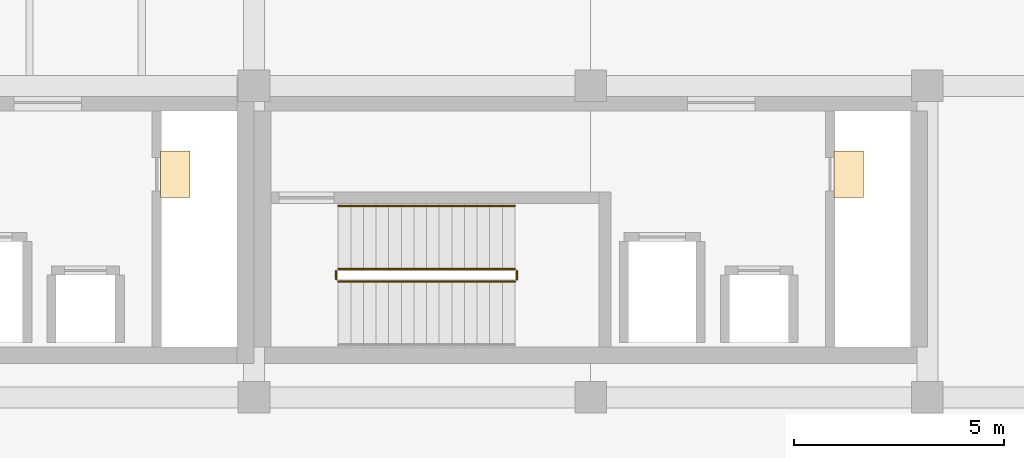
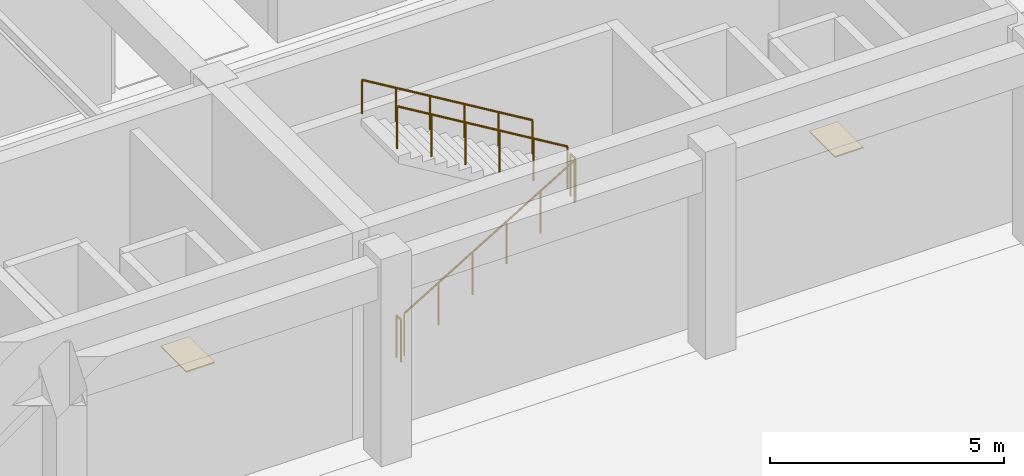
# One storey, part 37 of 56: 5 railings, 2 coverings.
"""IFC4 building model written with IfcOpenShell, lengths in metres."""

from ifc_helpers import new_model, si_unit, direction, frame, origin, origin_2d, place, context, subcontext, project, spatial, polyline, circle, outline, extrude, material, layer, layer_set, type_object, element, save


model = new_model("IFC4")

# Units and contexts
model_context = context("Model", 3, precision=1e-05, world=origin(), true_north=direction((0.0, 1.0)))
body_context = subcontext(model_context, "Body", "Model", "MODEL_VIEW")
ifc_project = project(units=[si_unit("LENGTHUNIT", "METRE"), si_unit("AREAUNIT", "SQUARE_METRE"), si_unit("VOLUMEUNIT", "CUBIC_METRE"), si_unit("PLANEANGLEUNIT", "RADIAN"), si_unit("MASSUNIT", "GRAM", prefix="KILO")], contexts=[model_context])

# Site, building, storey
site_placement = place(None, origin())
site = spatial("IfcSite", under=ifc_project, at=site_placement, CompositionType="ELEMENT")
building_placement = place(site_placement, origin())
building = spatial("IfcBuilding", under=site, at=building_placement, Name="Valkorina Park Police Headquarters", CompositionType="ELEMENT")
storey_placement = place(building_placement, origin())
storey = spatial("IfcBuildingStorey", under=building, at=storey_placement, Name="L01", CompositionType="ELEMENT", Elevation=0.0)

# Coverings
ifc_material_1 = material(Name="Resin terrazzo flooring")
ifc_layer = layer(ifc_material_1, 0.030029296875)
ifc_layer_set = layer_set([ifc_layer], Name="Resin terrazzo flooring")
covering_type = type_object("IfcCoveringType", Name="COV-FLOOR-TERRAZZO", PredefinedType="FLOORING", material=ifc_layer_set)
covering_1_placement = place(storey_placement, origin())
element("IfcCovering", 1, at=covering_1_placement, inside=storey, type_object=covering_type, Name="Core C1 L01 Riser Inspection Threshold Grate", PredefinedType="FLOORING", context=body_context, shape_type="SweptSolid", body=[
    extrude(outline(polyline([(31.280029296875, 41.75), (31.280029296875, 42.85009765625), (30.580078125, 42.85009765625), (30.580078125, 41.75), (31.280029296875, 41.75)])), origin(), (0.0, 0.0, 1.0), 0.030029296875),
])
covering_2_placement = place(storey_placement, origin())
element("IfcCovering", 2, at=covering_2_placement, inside=storey, type_object=covering_type, Name="Core C2 L01 Riser Inspection Threshold Grate", PredefinedType="FLOORING", context=body_context, shape_type="SweptSolid", body=[
    extrude(outline(polyline([(47.280029296875, 41.75), (47.280029296875, 42.85009765625), (46.580078125, 42.85009765625), (46.580078125, 41.75), (47.280029296875, 41.75)])), origin(), (0.0, 0.0, 1.0), 0.030029296875),
])

# Railings
ifc_material_2 = material(Name="Stainless steel EN 1.4404", Category="steel")
railing_type_1 = type_object("IfcRailingType", Name="RL-GUARD-INT-1100", PredefinedType="BALUSTRADE", material=ifc_material_2)
railing_1_placement = place(storey_placement, frame((34.800048828125, 39.75, 0.179931640625)))
element("IfcRailing", 3, at=railing_1_placement, inside=storey, type_object=railing_type_1, Name="L01 Core C2 Stair Guard 1", PredefinedType="BALUSTRADE", context=body_context, shape_type="SweptSolid", body=[
    extrude(circle(Radius=0.02392578125, at=origin_2d()), frame((0.0, 0.0, 1.09619140625), z_axis=(0.857488527567, 0.0, 0.514503085598), x_axis=(0.0, 1.0, 0.0)), (0.0, 0.0, 1.0), 4.89794921875),
    extrude(circle(Radius=0.02099609375, at=origin_2d()), origin(), (0.0, 0.0, 1.0), 1.072021484375),
    extrude(circle(Radius=0.02099609375, at=origin_2d()), frame((0.840087890625, 0.0, 0.50390625)), (0.0, 0.0, 1.0), 1.072021484375),
    extrude(circle(Radius=0.02099609375, at=origin_2d()), frame((1.679931640625, 0.0, 1.008056640625)), (0.0, 0.0, 1.0), 1.072021484375),
    extrude(circle(Radius=0.02099609375, at=origin_2d()), frame((2.52001953125, 0.0, 1.511962890625)), (0.0, 0.0, 1.0), 1.072021484375),
    extrude(circle(Radius=0.02099609375, at=origin_2d()), frame((3.35986328125, 0.0, 2.01611328125)), (0.0, 0.0, 1.0), 1.072021484375),
    extrude(circle(Radius=0.02099609375, at=origin_2d()), frame((4.199951171875, 0.0, 2.52001953125)), (0.0, 0.0, 1.0), 1.072021484375),
])
railing_2_placement = place(storey_placement, frame((39.050048828125, 39.800048828125, 2.699951171875)))
element("IfcRailing", 4, at=railing_2_placement, inside=storey, type_object=railing_type_1, Name="L01 Core C2 Stair Guard 2", PredefinedType="BALUSTRADE", context=body_context, shape_type="SweptSolid", body=[
    extrude(circle(Radius=0.02392578125, at=origin_2d()), frame((0.0, 0.0, 1.09619140625), z_axis=(0.0, 1.0, 0.0), x_axis=(-1.0, 0.0, 0.0)), (0.0, 0.0, 1.0), 0.199951171875),
    extrude(circle(Radius=0.02099609375, at=origin_2d()), origin(), (0.0, 0.0, 1.0), 1.072021484375),
    extrude(circle(Radius=0.02099609375, at=origin_2d()), frame((0.0, 0.199951171875, 0.0)), (0.0, 0.0, 1.0), 1.072021484375),
])
railing_3_placement = place(storey_placement, frame((39.0, 40.050048828125, 2.8798828125)))
element("IfcRailing", 5, at=railing_3_placement, inside=storey, type_object=railing_type_1, Name="L01 Core C2 Stair Guard 3", PredefinedType="BALUSTRADE", context=body_context, shape_type="SweptSolid", body=[
    extrude(circle(Radius=0.02392578125, at=origin_2d()), frame((0.0, 0.0, 1.09619140625), z_axis=(-0.857488527567, 0.0, 0.514503085598), x_axis=(0.0, -1.0, 0.0)), (0.0, 0.0, 1.0), 4.89794921875),
    extrude(circle(Radius=0.02099609375, at=origin_2d()), origin(), (0.0, 0.0, 1.0), 1.072021484375),
    extrude(circle(Radius=0.02099609375, at=origin_2d()), frame((-0.840087890625, 0.0, 0.50390625)), (0.0, 0.0, 1.0), 1.072021484375),
    extrude(circle(Radius=0.02099609375, at=origin_2d()), frame((-1.679931640625, 0.0, 1.008056640625)), (0.0, 0.0, 1.0), 1.072021484375),
    extrude(circle(Radius=0.02099609375, at=origin_2d()), frame((-2.52001953125, 0.0, 1.511962890625)), (0.0, 0.0, 1.0), 1.072021484375),
    extrude(circle(Radius=0.02099609375, at=origin_2d()), frame((-3.35986328125, 0.0, 2.01611328125)), (0.0, 0.0, 1.0), 1.072021484375),
    extrude(circle(Radius=0.02099609375, at=origin_2d()), frame((-4.199951171875, 0.0, 2.52001953125)), (0.0, 0.0, 1.0), 1.072021484375),
])
railing_4_placement = place(storey_placement, frame((34.75, 39.800048828125, 0.0)))
element("IfcRailing", 6, at=railing_4_placement, inside=storey, type_object=railing_type_1, Name="L01 Core C2 Stair Guard 4", PredefinedType="BALUSTRADE", context=body_context, shape_type="SweptSolid", body=[
    extrude(circle(Radius=0.02392578125, at=origin_2d()), frame((0.0, 0.0, 1.09619140625), z_axis=(0.0, 1.0, 0.0), x_axis=(-1.0, 0.0, 0.0)), (0.0, 0.0, 1.0), 0.199951171875),
    extrude(circle(Radius=0.02099609375, at=origin_2d()), origin(), (0.0, 0.0, 1.0), 1.072021484375),
    extrude(circle(Radius=0.02099609375, at=origin_2d()), frame((0.0, 0.199951171875, 0.0)), (0.0, 0.0, 1.0), 1.072021484375),
])
railing_type_2 = type_object("IfcRailingType", Name="RL-HANDRAIL-900", PredefinedType="HANDRAIL", material=ifc_material_2)
railing_5_placement = place(storey_placement, frame((39.0, 41.550048828125, 2.8798828125)))
element("IfcRailing", 7, at=railing_5_placement, inside=storey, type_object=railing_type_2, Name="L01 Core C2 Stair Handrail 2", PredefinedType="HANDRAIL", context=body_context, shape_type="SweptSolid", body=[
    extrude(circle(Radius=0.02392578125, at=origin_2d()), frame((0.0, 0.0, 0.8759765625), z_axis=(-0.857488527567, 0.0, 0.514503085598), x_axis=(0.0, -1.0, 0.0)), (0.0, 0.0, 1.0), 4.89794921875),
    extrude(circle(Radius=0.02099609375, at=origin_2d()), origin(), (0.0, 0.0, 1.0), 0.851806640625),
    extrude(circle(Radius=0.02099609375, at=origin_2d()), frame((-0.840087890625, 0.0, 0.50390625)), (0.0, 0.0, 1.0), 0.851806640625),
    extrude(circle(Radius=0.02099609375, at=origin_2d()), frame((-1.679931640625, 0.0, 1.008056640625)), (0.0, 0.0, 1.0), 0.851806640625),
    extrude(circle(Radius=0.02099609375, at=origin_2d()), frame((-2.52001953125, 0.0, 1.511962890625)), (0.0, 0.0, 1.0), 0.851806640625),
    extrude(circle(Radius=0.02099609375, at=origin_2d()), frame((-3.35986328125, 0.0, 2.01611328125)), (0.0, 0.0, 1.0), 0.851806640625),
    extrude(circle(Radius=0.02099609375, at=origin_2d()), frame((-4.199951171875, 0.0, 2.52001953125)), (0.0, 0.0, 1.0), 0.851806640625),
])

save(model, "model.ifc")
